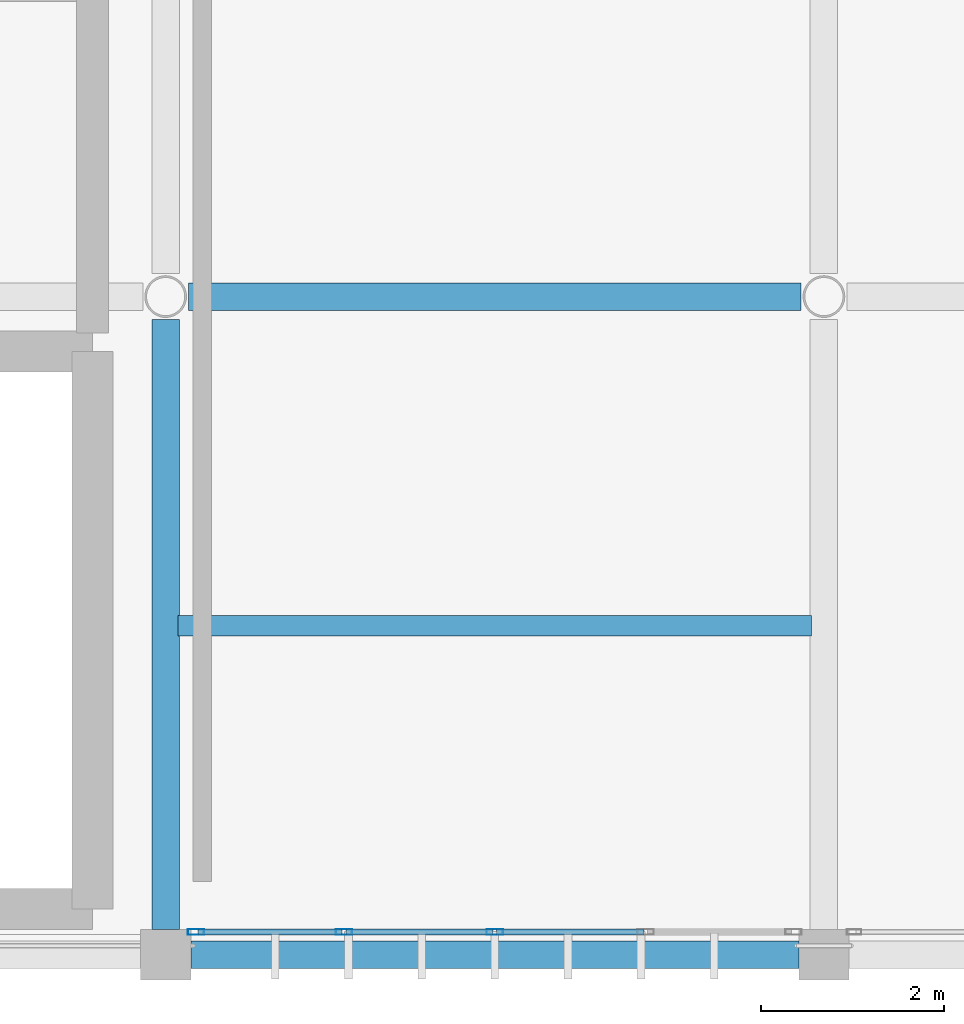
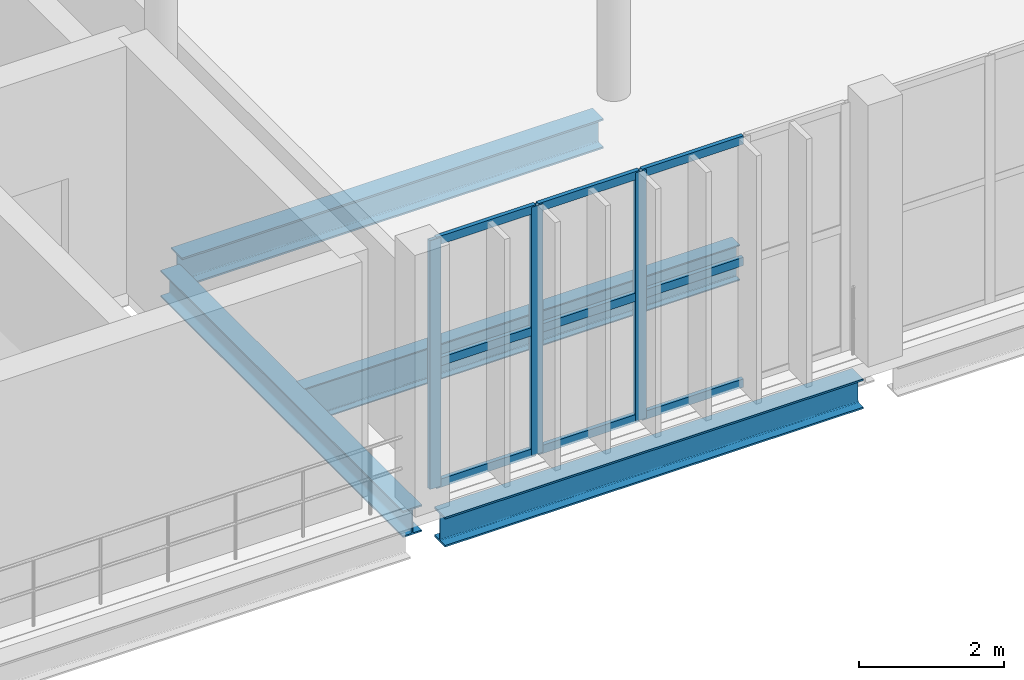
# One storey, part 17 of 81: 12 members, 4 beams, 1 element without a shape of its own.
"""IFC4 building model written with IfcOpenShell, lengths in metres."""

from ifc_helpers import new_model, si_unit, direction, frame, origin, origin_2d, place, context, subcontext, project, spatial, hollow_rectangle, i_section, extrude, material, material_profile, profile_set, type_object, element, aggregate, save


model = new_model("IFC4")

# Units and contexts
model_context = context("Model", 3, precision=1e-05, world=origin(), true_north=direction((0.0, 1.0)))
body_context = subcontext(model_context, "Body", "Model", "MODEL_VIEW")
ifc_project = project(units=[si_unit("LENGTHUNIT", "METRE"), si_unit("AREAUNIT", "SQUARE_METRE"), si_unit("VOLUMEUNIT", "CUBIC_METRE"), si_unit("PLANEANGLEUNIT", "RADIAN"), si_unit("MASSUNIT", "GRAM", prefix="KILO")], contexts=[model_context])

# Site, building, storey
site_placement = place(None, origin())
site = spatial("IfcSite", under=ifc_project, at=site_placement, CompositionType="ELEMENT")
building_placement = place(site_placement, origin())
building = spatial("IfcBuilding", under=site, at=building_placement, Name="Qandorah Velis Arena", CompositionType="ELEMENT")
storey_placement = place(building_placement, frame((0.0, 0.0, 18.60009765625)))
storey = spatial("IfcBuildingStorey", under=building, at=storey_placement, Name="L04", CompositionType="ELEMENT", Elevation=18.60009765625)

# Curtain wall, members
ifc_material_1 = material(Name="Solar-control low-E double glazing", Category="glass")
curtain_wall_type = type_object("IfcCurtainWallType", Name="ARC-CW-SYS02", PredefinedType="USERDEFINED", material=ifc_material_1)
curtain_wall_placement = place(storey_placement, origin())
curtain_wall = element("IfcCurtainWall", 1, at=curtain_wall_placement, inside=storey, type_object=curtain_wall_type, Name="Unitised curtain wall L04-074", ObjectType="UNITISED CURTAIN WALL", PredefinedType="USERDEFINED")
ifc_material_2 = material(Name="Champagne-bronze anodized aluminium 6063-T6", Category="aluminium")
ifc_material_profile_1 = material_profile(ifc_material_2, hollow_rectangle(XDim=0.06494140625, YDim=0.179931640625, WallThickness=0.00341796875, at=origin_2d()), Name="ALU MULLION 65x180")
ifc_profile_set_1 = profile_set([ifc_material_profile_1], Name="Champagne-bronze anodized aluminium 6063-T6")
member_type_1 = type_object("IfcMemberType", Name="ARC-CWM-180", PredefinedType="MULLION", material=ifc_profile_set_1)
member_1_placement = place(storey_placement, frame((43.532470703125, 0.25, -0.01513671875), z_axis=(0.0, 0.0, 1.0), x_axis=(0.0, 1.0, 0.0)))
member_1 = element("IfcMember", 2, at=member_1_placement, type_object=member_type_1, Name="CW02 mullion 1", PredefinedType="MULLION", context=body_context, shape_type="SweptSolid", body=[
    extrude(hollow_rectangle(XDim=0.06494140625, YDim=0.179931640625, WallThickness=0.00341796875, at=origin_2d()), origin(), (0.0, 0.0, 1.0), 4.179931640625),
])
member_2_placement = place(storey_placement, frame((45.14990234375, 0.25, -0.01513671875), z_axis=(0.0, 0.0, 1.0), x_axis=(0.0, 1.0, 0.0)))
member_2 = element("IfcMember", 3, at=member_2_placement, type_object=member_type_1, Name="CW02 mullion 2", PredefinedType="MULLION", context=body_context, shape_type="SweptSolid", body=[
    extrude(hollow_rectangle(XDim=0.06494140625, YDim=0.179931640625, WallThickness=0.00341796875, at=origin_2d()), origin(), (0.0, 0.0, 1.0), 4.179931640625),
])
member_3_placement = place(storey_placement, frame((46.800048828125, 0.25, -0.01513671875), z_axis=(0.0, 0.0, 1.0), x_axis=(0.0, 1.0, 0.0)))
member_3 = element("IfcMember", 4, at=member_3_placement, type_object=member_type_1, Name="CW02 mullion 3", PredefinedType="MULLION", context=body_context, shape_type="SweptSolid", body=[
    extrude(hollow_rectangle(XDim=0.06494140625, YDim=0.179931640625, WallThickness=0.00341796875, at=origin_2d()), origin(), (0.0, 0.0, 1.0), 4.179931640625),
])
ifc_material_profile_2 = material_profile(ifc_material_2, hollow_rectangle(XDim=0.06494140625, YDim=0.139892578125, WallThickness=0.0029296875, at=origin_2d()), Name="ALU TRANSOM 65x140")
ifc_profile_set_2 = profile_set([ifc_material_profile_2], Name="Champagne-bronze anodized aluminium 6063-T6")
member_type_2 = type_object("IfcMemberType", Name="ARC-CWT-140", PredefinedType="USERDEFINED", material=ifc_profile_set_2)
member_4_placement = place(storey_placement, frame((43.552978515625, 0.25, 0.032470703125), z_axis=(1.0, 0.0, 0.0), x_axis=(0.0, 1.0, 0.0)))
member_4 = element("IfcMember", 5, at=member_4_placement, type_object=member_type_2, Name="CW02 transom 1.1", ObjectType="TRANSOM", PredefinedType="USERDEFINED", context=body_context, shape_type="SweptSolid", body=[
    extrude(hollow_rectangle(XDim=0.06494140625, YDim=0.139892578125, WallThickness=0.0029296875, at=origin_2d()), origin(), (0.0, 0.0, 1.0), 1.576416015625),
])
member_5_placement = place(storey_placement, frame((43.552978515625, 0.25, 2.074951171875), z_axis=(1.0, 0.0, 0.0), x_axis=(0.0, 1.0, 0.0)))
member_5 = element("IfcMember", 6, at=member_5_placement, type_object=member_type_2, Name="CW02 transom 1.2", ObjectType="TRANSOM", PredefinedType="USERDEFINED", context=body_context, shape_type="SweptSolid", body=[
    extrude(hollow_rectangle(XDim=0.06494140625, YDim=0.139892578125, WallThickness=0.0029296875, at=origin_2d()), origin(), (0.0, 0.0, 1.0), 1.576416015625),
])
member_6_placement = place(storey_placement, frame((43.552978515625, 0.25, 4.117431640625), z_axis=(1.0, 0.0, 0.0), x_axis=(0.0, 1.0, 0.0)))
member_6 = element("IfcMember", 7, at=member_6_placement, type_object=member_type_2, Name="CW02 transom 1.3", ObjectType="TRANSOM", PredefinedType="USERDEFINED", context=body_context, shape_type="SweptSolid", body=[
    extrude(hollow_rectangle(XDim=0.06494140625, YDim=0.139892578125, WallThickness=0.0029296875, at=origin_2d()), origin(), (0.0, 0.0, 1.0), 1.576416015625),
])
member_7_placement = place(storey_placement, frame((45.17041015625, 0.25, 0.032470703125), z_axis=(1.0, 0.0, 0.0), x_axis=(0.0, 1.0, 0.0)))
member_7 = element("IfcMember", 8, at=member_7_placement, type_object=member_type_2, Name="CW02 transom 2.1", ObjectType="TRANSOM", PredefinedType="USERDEFINED", context=body_context, shape_type="SweptSolid", body=[
    extrude(hollow_rectangle(XDim=0.06494140625, YDim=0.139892578125, WallThickness=0.0029296875, at=origin_2d()), origin(), (0.0, 0.0, 1.0), 1.609130859375),
])
member_8_placement = place(storey_placement, frame((45.17041015625, 0.25, 2.074951171875), z_axis=(1.0, 0.0, 0.0), x_axis=(0.0, 1.0, 0.0)))
member_8 = element("IfcMember", 9, at=member_8_placement, type_object=member_type_2, Name="CW02 transom 2.2", ObjectType="TRANSOM", PredefinedType="USERDEFINED", context=body_context, shape_type="SweptSolid", body=[
    extrude(hollow_rectangle(XDim=0.06494140625, YDim=0.139892578125, WallThickness=0.0029296875, at=origin_2d()), origin(), (0.0, 0.0, 1.0), 1.609130859375),
])
member_9_placement = place(storey_placement, frame((45.17041015625, 0.25, 4.117431640625), z_axis=(1.0, 0.0, 0.0), x_axis=(0.0, 1.0, 0.0)))
member_9 = element("IfcMember", 10, at=member_9_placement, type_object=member_type_2, Name="CW02 transom 2.3", ObjectType="TRANSOM", PredefinedType="USERDEFINED", context=body_context, shape_type="SweptSolid", body=[
    extrude(hollow_rectangle(XDim=0.06494140625, YDim=0.139892578125, WallThickness=0.0029296875, at=origin_2d()), origin(), (0.0, 0.0, 1.0), 1.609130859375),
])
member_10_placement = place(storey_placement, frame((46.820556640625, 0.25, 0.032470703125), z_axis=(1.0, 0.0, 0.0), x_axis=(0.0, 1.0, 0.0)))
member_10 = element("IfcMember", 11, at=member_10_placement, type_object=member_type_2, Name="CW02 transom 3.1", ObjectType="TRANSOM", PredefinedType="USERDEFINED", context=body_context, shape_type="SweptSolid", body=[
    extrude(hollow_rectangle(XDim=0.06494140625, YDim=0.139892578125, WallThickness=0.0029296875, at=origin_2d()), origin(), (0.0, 0.0, 1.0), 1.60888671875),
])
member_11_placement = place(storey_placement, frame((46.820556640625, 0.25, 2.074951171875), z_axis=(1.0, 0.0, 0.0), x_axis=(0.0, 1.0, 0.0)))
member_11 = element("IfcMember", 12, at=member_11_placement, type_object=member_type_2, Name="CW02 transom 3.2", ObjectType="TRANSOM", PredefinedType="USERDEFINED", context=body_context, shape_type="SweptSolid", body=[
    extrude(hollow_rectangle(XDim=0.06494140625, YDim=0.139892578125, WallThickness=0.0029296875, at=origin_2d()), origin(), (0.0, 0.0, 1.0), 1.60888671875),
])
member_12_placement = place(storey_placement, frame((46.820556640625, 0.25, 4.117431640625), z_axis=(1.0, 0.0, 0.0), x_axis=(0.0, 1.0, 0.0)))
member_12 = element("IfcMember", 13, at=member_12_placement, type_object=member_type_2, Name="CW02 transom 3.3", ObjectType="TRANSOM", PredefinedType="USERDEFINED", context=body_context, shape_type="SweptSolid", body=[
    extrude(hollow_rectangle(XDim=0.06494140625, YDim=0.139892578125, WallThickness=0.0029296875, at=origin_2d()), origin(), (0.0, 0.0, 1.0), 1.60888671875),
])
aggregate(curtain_wall, [member_1, member_2, member_3, member_4, member_5, member_6, member_7, member_8, member_9, member_10, member_11, member_12])

# Beams
ifc_material_3 = material(Name="Steel S355", Category="steel")
ifc_material_profile_3 = material_profile(ifc_material_3, i_section(OverallWidth=0.300048828125, OverallDepth=0.449951171875, WebThickness=0.013916015625, FlangeThickness=0.02587890625, FilletRadius=0.027099609375, at=origin_2d()), Name="HEB 450")
ifc_profile_set_3 = profile_set([ifc_material_profile_3], Name="Steel S355")
beam_type_1 = type_object("IfcBeamType", Name="STR-BM-HEB450", PredefinedType="BEAM", material=ifc_profile_set_3)
beam_1_placement = place(storey_placement, frame((43.199951171875, 0.27490234375, -0.4951171875), z_axis=(0.0, 1.0, 0.0), x_axis=(-1.0, 0.0, 0.0)))
element("IfcBeam", 14, at=beam_1_placement, inside=storey, type_object=beam_type_1, Name="Primary floor girder L04 Y-204", PredefinedType="BEAM", context=body_context, shape_type="SweptSolid", body=[
    extrude(i_section(OverallWidth=0.300048828125, OverallDepth=0.449951171875, WebThickness=0.013916015625, FlangeThickness=0.02587890625, FilletRadius=0.027099609375, at=origin_2d()), origin(), (0.0, 0.0, 1.0), 6.675048828125),
])
ifc_material_profile_4 = material_profile(ifc_material_3, i_section(OverallWidth=0.300048828125, OverallDepth=0.5, WebThickness=0.014404296875, FlangeThickness=0.028076171875, FilletRadius=0.027099609375, at=origin_2d()), Name="HEB 500")
ifc_profile_set_4 = profile_set([ifc_material_profile_4], Name="Steel S355")
beam_type_2 = type_object("IfcBeamType", Name="STR-BM-HEB500", PredefinedType="BEAM", material=ifc_profile_set_4)
beam_2_placement = place(storey_placement, frame((43.47509765625, 0.0, -0.52001953125), z_axis=(1.0, 0.0, 0.0), x_axis=(0.0, 1.0, 0.0)))
element("IfcBeam", 15, at=beam_2_placement, inside=storey, type_object=beam_type_2, Name="Primary floor girder L04 X-003", PredefinedType="BEAM", context=body_context, shape_type="SweptSolid", body=[
    extrude(i_section(OverallWidth=0.300048828125, OverallDepth=0.5, WebThickness=0.014404296875, FlangeThickness=0.028076171875, FilletRadius=0.027099609375, at=origin_2d()), origin(), (0.0, 0.0, 1.0), 6.64990234375),
])
beam_3_placement = place(storey_placement, frame((43.449951171875, 7.199951171875, -0.52001953125), z_axis=(1.0, 0.0, 0.0), x_axis=(0.0, 1.0, 0.0)))
element("IfcBeam", 16, at=beam_3_placement, inside=storey, type_object=beam_type_2, Name="Primary floor girder L04 X-015", PredefinedType="BEAM", context=body_context, shape_type="SweptSolid", body=[
    extrude(i_section(OverallWidth=0.300048828125, OverallDepth=0.5, WebThickness=0.014404296875, FlangeThickness=0.028076171875, FilletRadius=0.027099609375, at=origin_2d()), origin(), (0.0, 0.0, 1.0), 6.699951171875),
])
ifc_material_profile_5 = material_profile(ifc_material_3, i_section(OverallWidth=0.219970703125, OverallDepth=0.60009765625, WebThickness=0.011962890625, FlangeThickness=0.01904296875, FilletRadius=0.02392578125, at=origin_2d()), Name="IPE 600")
ifc_profile_set_5 = profile_set([ifc_material_profile_5], Name="Steel S355")
beam_type_3 = type_object("IfcBeamType", Name="STR-JST-IPE600", PredefinedType="JOIST", material=ifc_profile_set_5)
beam_4_placement = place(storey_placement, frame((43.3349609375, 3.60009765625, -0.570068359375), z_axis=(1.0, 0.0, 0.0), x_axis=(0.0, 1.0, 0.0)))
element("IfcBeam", 17, at=beam_4_placement, inside=storey, type_object=beam_type_3, Name="Secondary floor joist L04-037", PredefinedType="JOIST", context=body_context, shape_type="SweptSolid", body=[
    extrude(i_section(OverallWidth=0.219970703125, OverallDepth=0.60009765625, WebThickness=0.011962890625, FlangeThickness=0.01904296875, FilletRadius=0.02392578125, at=origin_2d()), origin(), (0.0, 0.0, 1.0), 6.929931640625),
])

save(model, "model.ifc")
